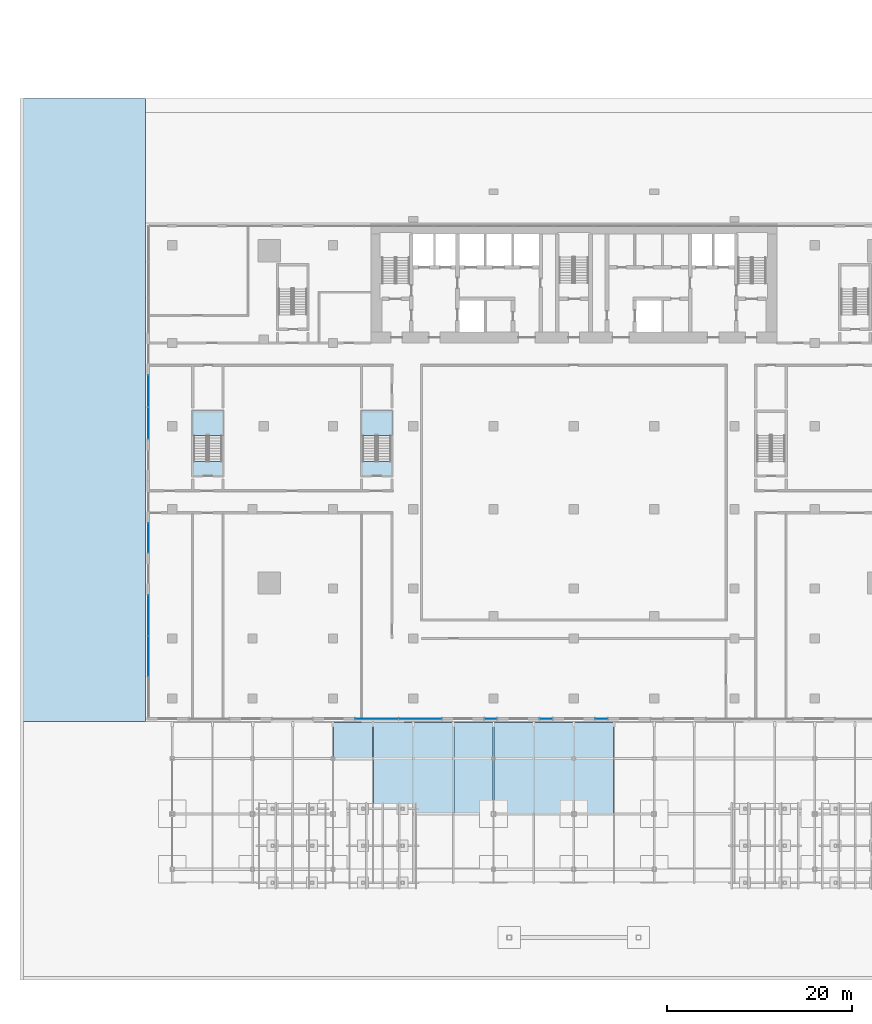
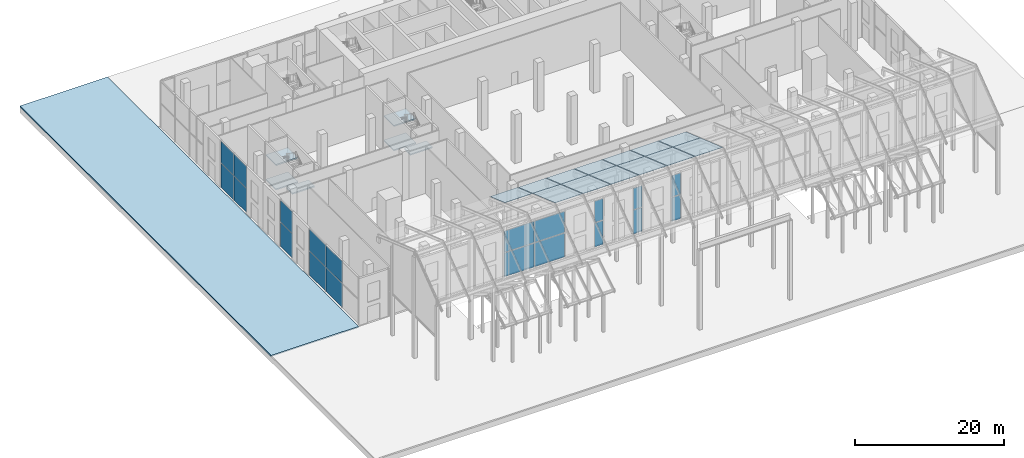
# One storey, part 17 of 31: 33 plates, 7 slabs, 9 elements without a shape of their own.
"""IFC4 building model written with IfcOpenShell, lengths in metres."""

from ifc_helpers import new_model, si_unit, direction, frame, origin, origin_2d, place, context, subcontext, project, spatial, polyline, rectangle, outline, extrude, material, layer, layer_set, layer_usage, type_object, element, aggregate, save


model = new_model("IFC4")

# Units and contexts
model_context = context("Model", 3, precision=1e-05, world=origin(), true_north=direction((0.0, 1.0)))
body_context = subcontext(model_context, "Body", "Model", "MODEL_VIEW")
ifc_project = project(units=[si_unit("LENGTHUNIT", "METRE"), si_unit("AREAUNIT", "SQUARE_METRE"), si_unit("VOLUMEUNIT", "CUBIC_METRE"), si_unit("PLANEANGLEUNIT", "RADIAN"), si_unit("MASSUNIT", "GRAM", prefix="KILO")], contexts=[model_context])

# Site, building, storey
site_placement = place(None, origin())
site = spatial("IfcSite", under=ifc_project, at=site_placement, CompositionType="ELEMENT")
building_placement = place(site_placement, origin())
building = spatial("IfcBuilding", under=site, at=building_placement, Name="Bicima Exchange Tower", CompositionType="ELEMENT")
storey_placement = place(building_placement, origin())
storey = spatial("IfcBuildingStorey", under=building, at=storey_placement, Name="L00", CompositionType="ELEMENT", Elevation=0.0)

# Slab
ifc_material_1 = material(Name="Granite paving", Category="masonry")
ifc_layer_1 = layer(ifc_material_1, 0.2)
ifc_layer_set_1 = layer_set([ifc_layer_1], Name="Granite paving")
ifc_layer_usage = layer_usage(ifc_layer_set_1, "AXIS3", "POSITIVE", 0.0)
slab_type_1 = type_object("IfcSlabType", Name="Granite paving 200", PredefinedType="USERDEFINED", material=ifc_layer_set_1)
slab_1_placement = place(storey_placement, frame((0.0, 0.0, -0.199951171875)))
element("IfcSlab", 1, at=slab_1_placement, inside=storey, type_object=slab_type_1, material=ifc_layer_usage, Name="Paving west", ObjectType="PAVING", PredefinedType="USERDEFINED", context=body_context, shape_type="SweptSolid", body=[
    extrude(outline(polyline([(-46.39990234375, -54.0), (-46.39990234375, 13.5), (-60.0, 13.5), (-60.0, -54.0), (-46.39990234375, -54.0)])), origin(), (0.0, 0.0, 1.0), 0.199951171875),
])

# Curtain wall, plates
ifc_material_2 = material(Name="Stainless steel", Category="steel")
curtain_wall_type_1 = type_object("IfcCurtainWallType", Name="Hall structural glazing", PredefinedType="NOTDEFINED", material=ifc_material_2)
curtain_wall_1_placement = place(storey_placement, origin())
curtain_wall_1 = element("IfcCurtainWall", 2, at=curtain_wall_1_placement, inside=storey, type_object=curtain_wall_type_1, Name="Podium glazing L00 south 6", PredefinedType="NOTDEFINED")
ifc_material_3 = material(Name="Clear low-iron glass", Category="glass")
ifc_layer_2 = layer(ifc_material_3, 0.0439453125)
ifc_layer_set_2 = layer_set([ifc_layer_2], Name="Clear low-iron glass")
plate_type_1 = type_object("IfcPlateType", Name="Hall structural glazing glass panel 44", PredefinedType="CURTAIN_PANEL", material=ifc_layer_set_2)
plate_1_placement = place(storey_placement, frame((-21.35498046875, -53.699951171875, 0.0), z_axis=(0.0, 0.0, 1.0), x_axis=(1.0, 0.0, 0.0)))
plate_1 = element("IfcPlate", 3, at=plate_1_placement, type_object=plate_type_1, Name="Hall structural glazing panel 1.1", PredefinedType="CURTAIN_PANEL", context=body_context, shape_type="SweptSolid", body=[
    extrude(rectangle(XDim=4.6298828125, YDim=0.0439453125, at=origin_2d()), origin(), (0.0, 0.0, 1.0), 3.89990234375),
])
plate_2_placement = place(storey_placement, frame((-21.35498046875, -53.699951171875, 4.0), z_axis=(0.0, 0.0, 1.0), x_axis=(1.0, 0.0, 0.0)))
plate_2 = element("IfcPlate", 4, at=plate_2_placement, type_object=plate_type_1, Name="Hall structural glazing panel 1.2", PredefinedType="CURTAIN_PANEL", context=body_context, shape_type="SweptSolid", body=[
    extrude(rectangle(XDim=4.6298828125, YDim=0.0439453125, at=origin_2d()), origin(), (0.0, 0.0, 1.0), 3.5),
])
plate_3_placement = place(storey_placement, frame((-16.64501953125, -53.699951171875, 0.0), z_axis=(0.0, 0.0, 1.0), x_axis=(1.0, 0.0, 0.0)))
plate_3 = element("IfcPlate", 5, at=plate_3_placement, type_object=plate_type_1, Name="Hall structural glazing panel 2.1", PredefinedType="CURTAIN_PANEL", context=body_context, shape_type="SweptSolid", body=[
    extrude(rectangle(XDim=4.6298828125, YDim=0.0439453125, at=origin_2d()), origin(), (0.0, 0.0, 1.0), 3.89990234375),
])
plate_4_placement = place(storey_placement, frame((-16.64501953125, -53.699951171875, 4.0), z_axis=(0.0, 0.0, 1.0), x_axis=(1.0, 0.0, 0.0)))
plate_4 = element("IfcPlate", 6, at=plate_4_placement, type_object=plate_type_1, Name="Hall structural glazing panel 2.2", PredefinedType="CURTAIN_PANEL", context=body_context, shape_type="SweptSolid", body=[
    extrude(rectangle(XDim=4.6298828125, YDim=0.0439453125, at=origin_2d()), origin(), (0.0, 0.0, 1.0), 3.5),
])
aggregate(curtain_wall_1, [plate_1, plate_2, plate_3, plate_4])

curtain_wall_2_placement = place(storey_placement, origin())
curtain_wall_2 = element("IfcCurtainWall", 7, at=curtain_wall_2_placement, inside=storey, type_object=curtain_wall_type_1, Name="Podium glazing L00 south 8", PredefinedType="NOTDEFINED")
plate_5_placement = place(storey_placement, frame((-9.0, -53.699951171875, 0.0), z_axis=(0.0, 0.0, 1.0), x_axis=(1.0, 0.0, 0.0)))
plate_5 = element("IfcPlate", 8, at=plate_5_placement, type_object=plate_type_1, Name="Hall structural glazing panel 1.1", PredefinedType="CURTAIN_PANEL", context=body_context, shape_type="SweptSolid", body=[
    extrude(rectangle(XDim=1.340087890625, YDim=0.0439453125, at=origin_2d()), origin(), (0.0, 0.0, 1.0), 3.89990234375),
])
plate_6_placement = place(storey_placement, frame((-9.0, -53.699951171875, 4.0), z_axis=(0.0, 0.0, 1.0), x_axis=(1.0, 0.0, 0.0)))
plate_6 = element("IfcPlate", 9, at=plate_6_placement, type_object=plate_type_1, Name="Hall structural glazing panel 1.2", PredefinedType="CURTAIN_PANEL", context=body_context, shape_type="SweptSolid", body=[
    extrude(rectangle(XDim=1.340087890625, YDim=0.0439453125, at=origin_2d()), origin(), (0.0, 0.0, 1.0), 3.5),
])
aggregate(curtain_wall_2, [plate_5, plate_6])

curtain_wall_3_placement = place(storey_placement, origin())
curtain_wall_3 = element("IfcCurtainWall", 10, at=curtain_wall_3_placement, inside=storey, type_object=curtain_wall_type_1, Name="Podium glazing L00 south 10", PredefinedType="NOTDEFINED")
plate_7_placement = place(storey_placement, frame((-3.0, -53.699951171875, 0.0), z_axis=(0.0, 0.0, 1.0), x_axis=(1.0, 0.0, 0.0)))
plate_7 = element("IfcPlate", 11, at=plate_7_placement, type_object=plate_type_1, Name="Hall structural glazing panel 1.1", PredefinedType="CURTAIN_PANEL", context=body_context, shape_type="SweptSolid", body=[
    extrude(rectangle(XDim=1.340087890625, YDim=0.0439453125, at=origin_2d()), origin(), (0.0, 0.0, 1.0), 3.89990234375),
])
plate_8_placement = place(storey_placement, frame((-3.0, -53.699951171875, 4.0), z_axis=(0.0, 0.0, 1.0), x_axis=(1.0, 0.0, 0.0)))
plate_8 = element("IfcPlate", 12, at=plate_8_placement, type_object=plate_type_1, Name="Hall structural glazing panel 1.2", PredefinedType="CURTAIN_PANEL", context=body_context, shape_type="SweptSolid", body=[
    extrude(rectangle(XDim=1.340087890625, YDim=0.0439453125, at=origin_2d()), origin(), (0.0, 0.0, 1.0), 3.5),
])
aggregate(curtain_wall_3, [plate_7, plate_8])

curtain_wall_4_placement = place(storey_placement, origin())
curtain_wall_4 = element("IfcCurtainWall", 13, at=curtain_wall_4_placement, inside=storey, type_object=curtain_wall_type_1, Name="Podium glazing L00 south 12", PredefinedType="NOTDEFINED")
plate_9_placement = place(storey_placement, frame((3.0, -53.699951171875, 0.0), z_axis=(0.0, 0.0, 1.0), x_axis=(1.0, 0.0, 0.0)))
plate_9 = element("IfcPlate", 14, at=plate_9_placement, type_object=plate_type_1, Name="Hall structural glazing panel 1.1", PredefinedType="CURTAIN_PANEL", context=body_context, shape_type="SweptSolid", body=[
    extrude(rectangle(XDim=1.340087890625, YDim=0.0439453125, at=origin_2d()), origin(), (0.0, 0.0, 1.0), 3.89990234375),
])
plate_10_placement = place(storey_placement, frame((3.0, -53.699951171875, 4.0), z_axis=(0.0, 0.0, 1.0), x_axis=(1.0, 0.0, 0.0)))
plate_10 = element("IfcPlate", 15, at=plate_10_placement, type_object=plate_type_1, Name="Hall structural glazing panel 1.2", PredefinedType="CURTAIN_PANEL", context=body_context, shape_type="SweptSolid", body=[
    extrude(rectangle(XDim=1.340087890625, YDim=0.0439453125, at=origin_2d()), origin(), (0.0, 0.0, 1.0), 3.5),
])
aggregate(curtain_wall_4, [plate_9, plate_10])

ifc_material_4 = material(Name="Anodised bronze aluminium", Category="aluminium")
curtain_wall_type_2 = type_object("IfcCurtainWallType", Name="Lobby glazing", PredefinedType="NOTDEFINED", material=ifc_material_4)
curtain_wall_5_placement = place(storey_placement, origin())
curtain_wall_5 = element("IfcCurtainWall", 16, at=curtain_wall_5_placement, inside=storey, type_object=curtain_wall_type_2, Name="Podium glazing L00 west 3", PredefinedType="NOTDEFINED")
ifc_layer_3 = layer(ifc_material_3, 0.035888671875)
ifc_layer_set_3 = layer_set([ifc_layer_3], Name="Clear low-iron glass")
plate_type_2 = type_object("IfcPlateType", Name="Lobby glazing glass panel 36", PredefinedType="CURTAIN_PANEL", material=ifc_layer_set_3)
plate_11_placement = place(storey_placement, frame((-46.10009765625, -18.215087890625, 0.0), z_axis=(0.0, 0.0, 1.0), x_axis=(0.0, -1.0, 0.0)))
plate_11 = element("IfcPlate", 17, at=plate_11_placement, type_object=plate_type_2, Name="Lobby glazing panel 1.1", PredefinedType="CURTAIN_PANEL", context=body_context, shape_type="SweptSolid", body=[
    extrude(rectangle(XDim=3.409912109375, YDim=0.035888671875, at=origin_2d()), origin(), (0.0, 0.0, 1.0), 3.929931640625),
])
plate_12_placement = place(storey_placement, frame((-46.10009765625, -18.215087890625, 4.0), z_axis=(0.0, 0.0, 1.0), x_axis=(0.0, -1.0, 0.0)))
plate_12 = element("IfcPlate", 18, at=plate_12_placement, type_object=plate_type_2, Name="Lobby glazing panel 1.2", PredefinedType="CURTAIN_PANEL", context=body_context, shape_type="SweptSolid", body=[
    extrude(rectangle(XDim=3.409912109375, YDim=0.035888671875, at=origin_2d()), origin(), (0.0, 0.0, 1.0), 3.56005859375),
])
plate_13_placement = place(storey_placement, frame((-46.10009765625, -21.68505859375, 0.0), z_axis=(0.0, 0.0, 1.0), x_axis=(0.0, -1.0, 0.0)))
plate_13 = element("IfcPlate", 19, at=plate_13_placement, type_object=plate_type_2, Name="Lobby glazing panel 2.1", PredefinedType="CURTAIN_PANEL", context=body_context, shape_type="SweptSolid", body=[
    extrude(rectangle(XDim=3.409912109375, YDim=0.035888671875, at=origin_2d()), origin(), (0.0, 0.0, 1.0), 3.929931640625),
])
plate_14_placement = place(storey_placement, frame((-46.10009765625, -21.68505859375, 4.0), z_axis=(0.0, 0.0, 1.0), x_axis=(0.0, -1.0, 0.0)))
plate_14 = element("IfcPlate", 20, at=plate_14_placement, type_object=plate_type_2, Name="Lobby glazing panel 2.2", PredefinedType="CURTAIN_PANEL", context=body_context, shape_type="SweptSolid", body=[
    extrude(rectangle(XDim=3.409912109375, YDim=0.035888671875, at=origin_2d()), origin(), (0.0, 0.0, 1.0), 3.56005859375),
])
aggregate(curtain_wall_5, [plate_11, plate_12, plate_13, plate_14])

curtain_wall_6_placement = place(storey_placement, origin())
curtain_wall_6 = element("IfcCurtainWall", 21, at=curtain_wall_6_placement, inside=storey, type_object=curtain_wall_type_2, Name="Podium glazing L00 west 6", PredefinedType="NOTDEFINED")
plate_15_placement = place(storey_placement, frame((-46.10009765625, -34.10009765625, 0.0), z_axis=(0.0, 0.0, 1.0), x_axis=(0.0, -1.0, 0.0)))
plate_15 = element("IfcPlate", 22, at=plate_15_placement, type_object=plate_type_2, Name="Lobby glazing panel 1.1", PredefinedType="CURTAIN_PANEL", context=body_context, shape_type="SweptSolid", body=[
    extrude(rectangle(XDim=3.179931640625, YDim=0.035888671875, at=origin_2d()), origin(), (0.0, 0.0, 1.0), 3.929931640625),
])
plate_16_placement = place(storey_placement, frame((-46.10009765625, -34.10009765625, 4.0), z_axis=(0.0, 0.0, 1.0), x_axis=(0.0, -1.0, 0.0)))
plate_16 = element("IfcPlate", 23, at=plate_16_placement, type_object=plate_type_2, Name="Lobby glazing panel 1.2", PredefinedType="CURTAIN_PANEL", context=body_context, shape_type="SweptSolid", body=[
    extrude(rectangle(XDim=3.179931640625, YDim=0.035888671875, at=origin_2d()), origin(), (0.0, 0.0, 1.0), 3.56005859375),
])
aggregate(curtain_wall_6, [plate_15, plate_16])

curtain_wall_7_placement = place(storey_placement, origin())
curtain_wall_7 = element("IfcCurtainWall", 24, at=curtain_wall_7_placement, inside=storey, type_object=curtain_wall_type_2, Name="Podium glazing L00 west 8", PredefinedType="NOTDEFINED")
plate_17_placement = place(storey_placement, frame((-46.10009765625, -42.4951171875, 0.0), z_axis=(0.0, 0.0, 1.0), x_axis=(0.0, -1.0, 0.0)))
plate_17 = element("IfcPlate", 25, at=plate_17_placement, type_object=plate_type_2, Name="Lobby glazing panel 1.1", PredefinedType="CURTAIN_PANEL", context=body_context, shape_type="SweptSolid", body=[
    extrude(rectangle(XDim=4.3701171875, YDim=0.035888671875, at=origin_2d()), origin(), (0.0, 0.0, 1.0), 3.929931640625),
])
plate_18_placement = place(storey_placement, frame((-46.10009765625, -42.4951171875, 4.0), z_axis=(0.0, 0.0, 1.0), x_axis=(0.0, -1.0, 0.0)))
plate_18 = element("IfcPlate", 26, at=plate_18_placement, type_object=plate_type_2, Name="Lobby glazing panel 1.2", PredefinedType="CURTAIN_PANEL", context=body_context, shape_type="SweptSolid", body=[
    extrude(rectangle(XDim=4.3701171875, YDim=0.035888671875, at=origin_2d()), origin(), (0.0, 0.0, 1.0), 3.56005859375),
])
plate_19_placement = place(storey_placement, frame((-46.10009765625, -46.925048828125, 0.0), z_axis=(0.0, 0.0, 1.0), x_axis=(0.0, -1.0, 0.0)))
plate_19 = element("IfcPlate", 27, at=plate_19_placement, type_object=plate_type_2, Name="Lobby glazing panel 2.1", PredefinedType="CURTAIN_PANEL", context=body_context, shape_type="SweptSolid", body=[
    extrude(rectangle(XDim=4.3701171875, YDim=0.035888671875, at=origin_2d()), origin(), (0.0, 0.0, 1.0), 3.929931640625),
])
plate_20_placement = place(storey_placement, frame((-46.10009765625, -46.925048828125, 4.0), z_axis=(0.0, 0.0, 1.0), x_axis=(0.0, -1.0, 0.0)))
plate_20 = element("IfcPlate", 28, at=plate_20_placement, type_object=plate_type_2, Name="Lobby glazing panel 2.2", PredefinedType="CURTAIN_PANEL", context=body_context, shape_type="SweptSolid", body=[
    extrude(rectangle(XDim=4.3701171875, YDim=0.035888671875, at=origin_2d()), origin(), (0.0, 0.0, 1.0), 3.56005859375),
])
aggregate(curtain_wall_7, [plate_17, plate_18, plate_19, plate_20])

# Plates
ifc_material_5 = material(Name="Bronze tinted glass", Category="glass")
ifc_layer_4 = layer(ifc_material_5, 0.035888671875)
ifc_layer_set_4 = layer_set([ifc_layer_4], Name="Bronze tinted glass")
plate_type_3 = type_object("IfcPlateType", Name="Portico roof glass 36", PredefinedType="SHEET", material=ifc_layer_set_4)
for number, where, z_axis, x_axis, name in (
    (29, (-26.06005859375, -54.10009765625, 14.251708984375), (0.0, 0.329091475255, 0.944298046654), (1.0, 0.0, 0.0), "Portico roof glass"),
    (30, (-21.7099609375, -54.10009765625, 14.251708984375), (0.0, 0.329091475255, 0.944298046654), (1.0, 0.0, 0.0), "Portico roof glass"),
):
    element("IfcPlate", number, at=place(storey_placement, frame(where, z_axis=z_axis, x_axis=x_axis)), inside=storey, type_object=plate_type_3, Name=name, PredefinedType="SHEET", context=body_context, shape_type="SweptSolid", body=[
        extrude(outline(polyline([(0.0, 0.0), (4.27001953125, 0.0), (4.27001953125, -4.129948544920647), (0.0, -4.129948544920647), (0.0, 0.0)])), origin(), (0.0, 0.0, -1.0), 0.035888671875),
    ])
plate_21_placement = place(storey_placement, frame((-21.7099609375, -58.0, 15.61083984375), z_axis=(0.0, 0.329165826501, 0.944272131678), x_axis=(1.0, 0.0, 0.0)))
element("IfcPlate", 31, at=plate_21_placement, inside=storey, type_object=plate_type_3, Name="Portico roof glass", PredefinedType="SHEET", context=body_context, shape_type="SweptSolid", body=[
    extrude(outline(polyline([(0.0, 0.0), (4.27001953125, 0.0), (4.27001953125, -6.3541004745496075), (0.0, -6.3541004745496075), (0.0, 0.0)])), origin(), (0.0, 0.0, -1.0), 0.035888671875),
])
plate_22_placement = place(storey_placement, frame((-17.360107421875, -54.10009765625, 14.251708984375), z_axis=(0.0, 0.329091475255, 0.944298046654), x_axis=(1.0, 0.0, 0.0)))
element("IfcPlate", 32, at=plate_22_placement, inside=storey, type_object=plate_type_3, Name="Portico roof glass", PredefinedType="SHEET", context=body_context, shape_type="SweptSolid", body=[
    extrude(outline(polyline([(0.0, 0.0), (4.27001953125, 0.0), (4.27001953125, -4.129948544920647), (0.0, -4.129948544920647), (0.0, 0.0)])), origin(), (0.0, 0.0, -1.0), 0.035888671875),
])
plate_23_placement = place(storey_placement, frame((-17.360107421875, -58.0, 15.61083984375), z_axis=(0.0, 0.329165826501, 0.944272131678), x_axis=(1.0, 0.0, 0.0)))
element("IfcPlate", 33, at=plate_23_placement, inside=storey, type_object=plate_type_3, Name="Portico roof glass", PredefinedType="SHEET", context=body_context, shape_type="SweptSolid", body=[
    extrude(outline(polyline([(0.0, 0.0), (4.27001953125, 0.0), (4.27001953125, -6.3541004745496075), (0.0, -6.3541004745496075), (0.0, 0.0)])), origin(), (0.0, 0.0, -1.0), 0.035888671875),
])
plate_24_placement = place(storey_placement, frame((-13.010009765625, -54.10009765625, 14.251708984375), z_axis=(0.0, 0.329091475255, 0.944298046654), x_axis=(1.0, 0.0, 0.0)))
element("IfcPlate", 34, at=plate_24_placement, inside=storey, type_object=plate_type_3, Name="Portico roof glass", PredefinedType="SHEET", context=body_context, shape_type="SweptSolid", body=[
    extrude(outline(polyline([(0.0, 0.0), (4.27001953125, 0.0), (4.27001953125, -4.129948544920647), (0.0, -4.129948544920647), (0.0, 0.0)])), origin(), (0.0, 0.0, -1.0), 0.035888671875),
])
plate_25_placement = place(storey_placement, frame((-13.010009765625, -58.0, 15.61083984375), z_axis=(0.0, 0.329165826501, 0.944272131678), x_axis=(1.0, 0.0, 0.0)))
element("IfcPlate", 35, at=plate_25_placement, inside=storey, type_object=plate_type_3, Name="Portico roof glass", PredefinedType="SHEET", context=body_context, shape_type="SweptSolid", body=[
    extrude(outline(polyline([(0.0, 0.0), (4.27001953125, 0.0), (4.27001953125, -6.3541004745496075), (0.0, -6.3541004745496075), (0.0, 0.0)])), origin(), (0.0, 0.0, -1.0), 0.035888671875),
])
plate_26_placement = place(storey_placement, frame((-8.659912109375, -54.10009765625, 14.251708984375), z_axis=(0.0, 0.329091475255, 0.944298046654), x_axis=(1.0, 0.0, 0.0)))
element("IfcPlate", 36, at=plate_26_placement, inside=storey, type_object=plate_type_3, Name="Portico roof glass", PredefinedType="SHEET", context=body_context, shape_type="SweptSolid", body=[
    extrude(outline(polyline([(0.0, 0.0), (4.27001953125, 0.0), (4.27001953125, -4.129948544920647), (0.0, -4.129948544920647), (0.0, 0.0)])), origin(), (0.0, 0.0, -1.0), 0.035888671875),
])
plate_27_placement = place(storey_placement, frame((-8.659912109375, -58.0, 15.61083984375), z_axis=(0.0, 0.329165826501, 0.944272131678), x_axis=(1.0, 0.0, 0.0)))
element("IfcPlate", 37, at=plate_27_placement, inside=storey, type_object=plate_type_3, Name="Portico roof glass", PredefinedType="SHEET", context=body_context, shape_type="SweptSolid", body=[
    extrude(outline(polyline([(0.0, 0.0), (4.27001953125, 0.0), (4.27001953125, -6.3541004745496075), (0.0, -6.3541004745496075), (0.0, 0.0)])), origin(), (0.0, 0.0, -1.0), 0.035888671875),
])
plate_28_placement = place(storey_placement, frame((-4.31005859375, -54.10009765625, 14.251708984375), z_axis=(0.0, 0.329091475255, 0.944298046654), x_axis=(1.0, 0.0, 0.0)))
element("IfcPlate", 38, at=plate_28_placement, inside=storey, type_object=plate_type_3, Name="Portico roof glass", PredefinedType="SHEET", context=body_context, shape_type="SweptSolid", body=[
    extrude(outline(polyline([(0.0, 0.0), (4.27001953125, 0.0), (4.27001953125, -4.129948544920647), (0.0, -4.129948544920647), (0.0, 0.0)])), origin(), (0.0, 0.0, -1.0), 0.035888671875),
])
plate_29_placement = place(storey_placement, frame((-4.31005859375, -58.0, 15.61083984375), z_axis=(0.0, 0.329165826501, 0.944272131678), x_axis=(1.0, 0.0, 0.0)))
element("IfcPlate", 39, at=plate_29_placement, inside=storey, type_object=plate_type_3, Name="Portico roof glass", PredefinedType="SHEET", context=body_context, shape_type="SweptSolid", body=[
    extrude(outline(polyline([(0.0, 0.0), (4.27001953125, 0.0), (4.27001953125, -6.3541004745496075), (0.0, -6.3541004745496075), (0.0, 0.0)])), origin(), (0.0, 0.0, -1.0), 0.035888671875),
])
plate_30_placement = place(storey_placement, frame((0.0400390625, -54.10009765625, 14.251708984375), z_axis=(0.0, 0.329091475255, 0.944298046654), x_axis=(1.0, 0.0, 0.0)))
element("IfcPlate", 40, at=plate_30_placement, inside=storey, type_object=plate_type_3, Name="Portico roof glass", PredefinedType="SHEET", context=body_context, shape_type="SweptSolid", body=[
    extrude(outline(polyline([(0.0, 0.0), (4.27001953125, 0.0), (4.27001953125, -4.129948544920647), (0.0, -4.129948544920647), (0.0, 0.0)])), origin(), (0.0, 0.0, -1.0), 0.035888671875),
])
plate_31_placement = place(storey_placement, frame((0.0400390625, -58.0, 15.61083984375), z_axis=(0.0, 0.329165826501, 0.944272131678), x_axis=(1.0, 0.0, 0.0)))
element("IfcPlate", 41, at=plate_31_placement, inside=storey, type_object=plate_type_3, Name="Portico roof glass", PredefinedType="SHEET", context=body_context, shape_type="SweptSolid", body=[
    extrude(outline(polyline([(0.0, 0.0), (4.27001953125, 0.0), (4.27001953125, -6.3541004745496075), (0.0, -6.3541004745496075), (0.0, 0.0)])), origin(), (0.0, 0.0, -1.0), 0.035888671875),
])

# Stair, slabs
ifc_material_6 = material(Name="Concrete C50/60", Category="concrete")
stair_type = type_object("IfcStairType", Name="Exit stair", PredefinedType="HALF_TURN_STAIR", material=ifc_material_6)
stair_1_placement = place(storey_placement, origin())
stair_1 = element("IfcStair", 42, at=stair_1_placement, inside=storey, type_object=stair_type, Name="L00 Podium west stair", PredefinedType="HALF_TURN_STAIR")
ifc_layer_5 = layer(ifc_material_6, 0.199951171875)
ifc_layer_set_5 = layer_set([ifc_layer_5], Name="Concrete C50/60")
slab_type_2 = type_object("IfcSlabType", Name="Stair landing slab", PredefinedType="LANDING", material=ifc_layer_set_5)
slab_2_placement = place(storey_placement, frame((0.0, 0.0, 1.800048828125)))
slab_2 = element("IfcSlab", 43, at=slab_2_placement, type_object=slab_type_2, Name="PS-W landing 1", PredefinedType="LANDING", context=body_context, shape_type="SweptSolid", body=[
    extrude(outline(polyline([(-37.925048828125, -23.02490234375), (-37.925048828125, -20.324951171875), (-41.375, -20.324951171875), (-41.375, -23.02490234375), (-37.925048828125, -23.02490234375)])), origin(), (0.0, 0.0, 1.0), 0.199951171875),
])
slab_3_placement = place(storey_placement, frame((0.0, 0.0, 3.800048828125)))
slab_3 = element("IfcSlab", 44, at=slab_3_placement, type_object=slab_type_2, Name="PS-W landing 2", PredefinedType="LANDING", context=body_context, shape_type="SweptSolid", body=[
    extrude(outline(polyline([(-37.925048828125, -27.47509765625), (-37.925048828125, -25.824951171875), (-41.375, -25.824951171875), (-41.375, -27.47509765625), (-37.925048828125, -27.47509765625)])), origin(), (0.0, 0.0, 1.0), 0.199951171875),
])
slab_4_placement = place(storey_placement, frame((0.0, 0.0, 5.800048828125)))
slab_4 = element("IfcSlab", 45, at=slab_4_placement, type_object=slab_type_2, Name="PS-W landing 3", PredefinedType="LANDING", context=body_context, shape_type="SweptSolid", body=[
    extrude(outline(polyline([(-37.925048828125, -23.02490234375), (-37.925048828125, -20.324951171875), (-41.375, -20.324951171875), (-41.375, -23.02490234375), (-37.925048828125, -23.02490234375)])), origin(), (0.0, 0.0, 1.0), 0.199951171875),
])
aggregate(stair_1, [slab_2, slab_3, slab_4])

stair_2_placement = place(storey_placement, origin())
stair_2 = element("IfcStair", 46, at=stair_2_placement, inside=storey, type_object=stair_type, Name="L00 Podium inner west stair", PredefinedType="HALF_TURN_STAIR")
slab_5_placement = place(storey_placement, frame((0.0, 0.0, 1.800048828125)))
slab_5 = element("IfcSlab", 47, at=slab_5_placement, type_object=slab_type_2, Name="PS-WI landing 1", PredefinedType="LANDING", context=body_context, shape_type="SweptSolid", body=[
    extrude(outline(polyline([(-19.625, -23.02490234375), (-19.625, -20.324951171875), (-23.074951171875, -20.324951171875), (-23.074951171875, -23.02490234375), (-19.625, -23.02490234375)])), origin(), (0.0, 0.0, 1.0), 0.199951171875),
])
slab_6_placement = place(storey_placement, frame((0.0, 0.0, 3.800048828125)))
slab_6 = element("IfcSlab", 48, at=slab_6_placement, type_object=slab_type_2, Name="PS-WI landing 2", PredefinedType="LANDING", context=body_context, shape_type="SweptSolid", body=[
    extrude(outline(polyline([(-19.625, -27.47509765625), (-19.625, -25.824951171875), (-23.074951171875, -25.824951171875), (-23.074951171875, -27.47509765625), (-19.625, -27.47509765625)])), origin(), (0.0, 0.0, 1.0), 0.199951171875),
])
slab_7_placement = place(storey_placement, frame((0.0, 0.0, 5.800048828125)))
slab_7 = element("IfcSlab", 49, at=slab_7_placement, type_object=slab_type_2, Name="PS-WI landing 3", PredefinedType="LANDING", context=body_context, shape_type="SweptSolid", body=[
    extrude(outline(polyline([(-19.625, -23.02490234375), (-19.625, -20.324951171875), (-23.074951171875, -20.324951171875), (-23.074951171875, -23.02490234375), (-19.625, -23.02490234375)])), origin(), (0.0, 0.0, 1.0), 0.199951171875),
])
aggregate(stair_2, [slab_5, slab_6, slab_7])

save(model, "model.ifc")
